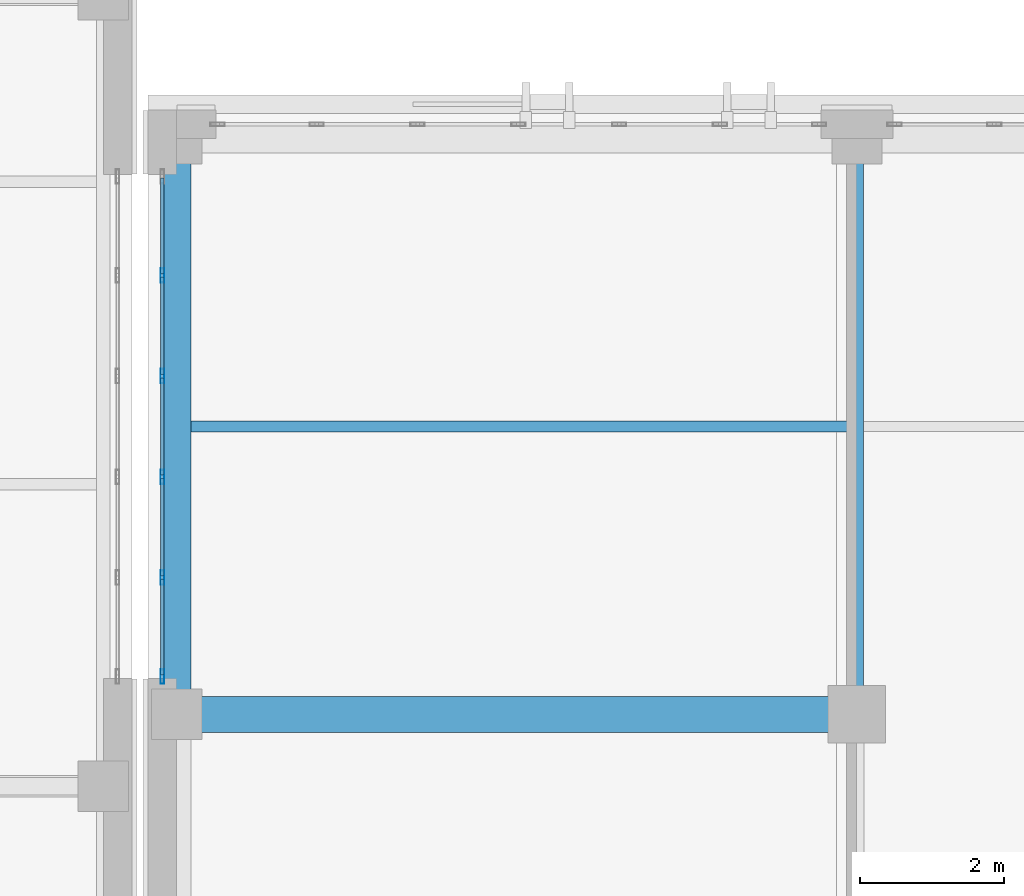
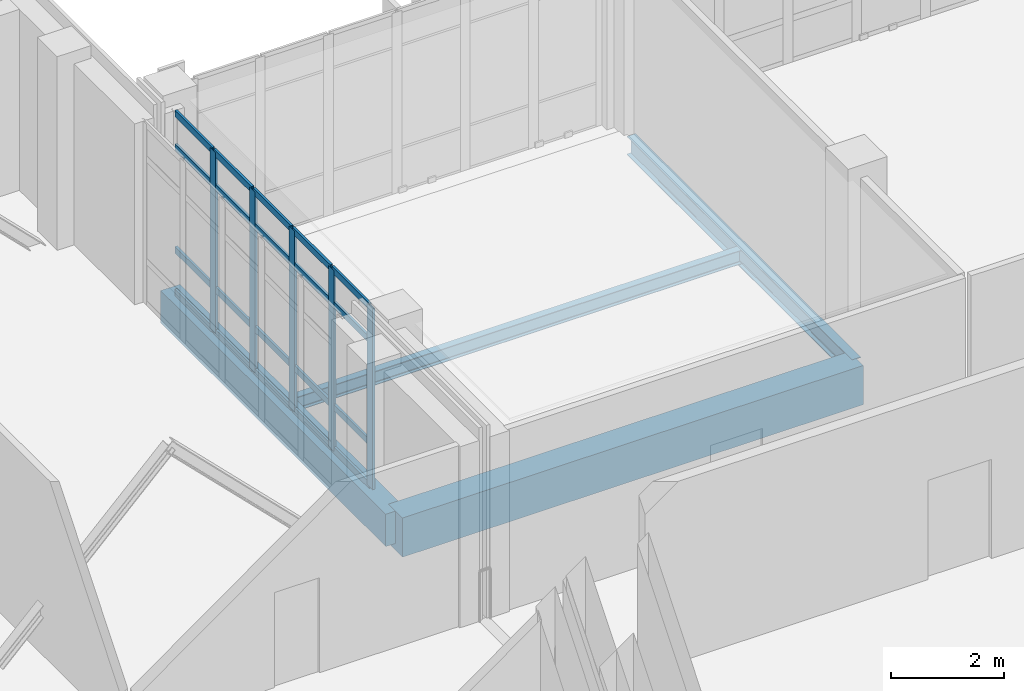
# One storey, part 22 of 158: 25 members, 4 beams, 1 element without a shape of its own.
"""IFC4 building model written with IfcOpenShell, lengths in metres."""

from ifc_helpers import new_model, si_unit, direction, frame, origin, origin_2d, place, context, subcontext, project, spatial, rectangle, hollow_rectangle, i_section, extrude, material, layer, layer_set, material_profile, profile_set, type_object, element, aggregate, save


model = new_model("IFC4")

# Units and contexts
model_context = context("Model", 3, precision=1e-05, world=origin(), true_north=direction((0.0, 1.0)))
body_context = subcontext(model_context, "Body", "Model", "MODEL_VIEW")
ifc_project = project(units=[si_unit("LENGTHUNIT", "METRE"), si_unit("AREAUNIT", "SQUARE_METRE"), si_unit("VOLUMEUNIT", "CUBIC_METRE"), si_unit("PLANEANGLEUNIT", "RADIAN"), si_unit("MASSUNIT", "GRAM", prefix="KILO")], contexts=[model_context])

# Site, building, storey
site_placement = place(None, origin())
site = spatial("IfcSite", under=ifc_project, at=site_placement, CompositionType="ELEMENT")
building_placement = place(site_placement, origin())
building = spatial("IfcBuilding", under=site, at=building_placement, Name="Qalavern Law Courts", CompositionType="ELEMENT")
storey_placement = place(building_placement, frame((0.0, 0.0, 18.60009765625)))
storey = spatial("IfcBuildingStorey", under=building, at=storey_placement, Name="L04", CompositionType="ELEMENT", Elevation=18.60009765625)

# Curtain wall, members
ifc_material_1 = material(Name="Anodised aluminium and insulated glazing", Category="aluminium")
ifc_layer = layer(ifc_material_1, 0.18505859375)
ifc_layer_set = layer_set([ifc_layer], Name="Anodised aluminium and insulated glazing")
curtain_wall_type = type_object("IfcCurtainWallType", Name="ENV-CW-HALL", PredefinedType="USERDEFINED", material=ifc_layer_set)
curtain_wall_placement = place(storey_placement, origin())
curtain_wall = element("IfcCurtainWall", 1, at=curtain_wall_placement, inside=storey, type_object=curtain_wall_type, Name="V2 unitised curtain wall L04 west 1", ObjectType="UNITISED CURTAIN WALL", PredefinedType="USERDEFINED")
ifc_material_2 = material(Name="Anodised aluminium", Category="aluminium")
ifc_material_profile_1 = material_profile(ifc_material_2, hollow_rectangle(XDim=0.048095703125, YDim=0.199951171875, WallThickness=0.00439453125, at=origin_2d()), Name="ALU MULLION 48x200")
ifc_profile_set_1 = profile_set([ifc_material_profile_1], Name="Anodised aluminium")
member_type_1 = type_object("IfcMemberType", Name="ENV-CWM-48x200", PredefinedType="MULLION", material=ifc_profile_set_1)
member_1_placement = place(storey_placement, frame((34.419921875, 28.10009765625, 0.0), z_axis=(0.0, 0.0, 1.0), x_axis=(1.0, 0.0, 0.0)))
member_1 = element("IfcMember", 2, at=member_1_placement, type_object=member_type_1, Name="CW-02 mullion 2", PredefinedType="MULLION", context=body_context, shape_type="SweptSolid", body=[
    extrude(hollow_rectangle(XDim=0.048095703125, YDim=0.199951171875, WallThickness=0.00439453125, at=origin_2d()), origin(), (0.0, 0.0, 1.0), 3.9248046875),
])
member_2_placement = place(storey_placement, frame((34.419921875, 26.699951171875, 0.0), z_axis=(0.0, 0.0, 1.0), x_axis=(1.0, 0.0, 0.0)))
member_2 = element("IfcMember", 3, at=member_2_placement, type_object=member_type_1, Name="CW-02 mullion 3", PredefinedType="MULLION", context=body_context, shape_type="SweptSolid", body=[
    extrude(hollow_rectangle(XDim=0.048095703125, YDim=0.199951171875, WallThickness=0.00439453125, at=origin_2d()), origin(), (0.0, 0.0, 1.0), 3.9248046875),
])
member_3_placement = place(storey_placement, frame((34.419921875, 25.300048828125, 0.0), z_axis=(0.0, 0.0, 1.0), x_axis=(1.0, 0.0, 0.0)))
member_3 = element("IfcMember", 4, at=member_3_placement, type_object=member_type_1, Name="CW-02 mullion 4", PredefinedType="MULLION", context=body_context, shape_type="SweptSolid", body=[
    extrude(hollow_rectangle(XDim=0.048095703125, YDim=0.199951171875, WallThickness=0.00439453125, at=origin_2d()), origin(), (0.0, 0.0, 1.0), 3.9248046875),
])
member_4_placement = place(storey_placement, frame((34.419921875, 23.89990234375, 0.0), z_axis=(0.0, 0.0, 1.0), x_axis=(1.0, 0.0, 0.0)))
member_4 = element("IfcMember", 5, at=member_4_placement, type_object=member_type_1, Name="CW-02 mullion 5", PredefinedType="MULLION", context=body_context, shape_type="SweptSolid", body=[
    extrude(hollow_rectangle(XDim=0.048095703125, YDim=0.199951171875, WallThickness=0.00439453125, at=origin_2d()), origin(), (0.0, 0.0, 1.0), 3.9248046875),
])
member_5_placement = place(storey_placement, frame((34.419921875, 22.52392578125, 0.0), z_axis=(0.0, 0.0, 1.0), x_axis=(1.0, 0.0, 0.0)))
member_5 = element("IfcMember", 6, at=member_5_placement, type_object=member_type_1, Name="CW-02 mullion 6", PredefinedType="MULLION", context=body_context, shape_type="SweptSolid", body=[
    extrude(hollow_rectangle(XDim=0.048095703125, YDim=0.199951171875, WallThickness=0.00439453125, at=origin_2d()), origin(), (0.0, 0.0, 1.0), 3.9248046875),
])
ifc_material_profile_2 = material_profile(ifc_material_2, hollow_rectangle(XDim=0.048095703125, YDim=0.139892578125, WallThickness=0.00390625, at=origin_2d()), Name="ALU TRANSOM 48x140")
ifc_profile_set_2 = profile_set([ifc_material_profile_2], Name="Anodised aluminium")
member_type_2 = type_object("IfcMemberType", Name="ENV-CWT-48x140", PredefinedType="USERDEFINED", material=ifc_profile_set_2)
member_6_placement = place(storey_placement, frame((34.419921875, 29.451904296875, 0.02392578125), z_axis=(0.0, -1.0, 0.0), x_axis=(1.0, 0.0, 0.0)))
member_6 = element("IfcMember", 7, at=member_6_placement, type_object=member_type_2, Name="CW-02 transom 1.1", ObjectType="TRANSOM", PredefinedType="USERDEFINED", context=body_context, shape_type="SweptSolid", body=[
    extrude(hollow_rectangle(XDim=0.048095703125, YDim=0.139892578125, WallThickness=0.00390625, at=origin_2d()), origin(), (0.0, 0.0, 1.0), 1.327880859375),
])
member_7_placement = place(storey_placement, frame((34.419921875, 29.451904296875, 0.949951171875), z_axis=(0.0, -1.0, 0.0), x_axis=(1.0, 0.0, 0.0)))
member_7 = element("IfcMember", 8, at=member_7_placement, type_object=member_type_2, Name="CW-02 transom 1.2", ObjectType="TRANSOM", PredefinedType="USERDEFINED", context=body_context, shape_type="SweptSolid", body=[
    extrude(hollow_rectangle(XDim=0.048095703125, YDim=0.139892578125, WallThickness=0.00390625, at=origin_2d()), origin(), (0.0, 0.0, 1.0), 1.327880859375),
])
member_8_placement = place(storey_placement, frame((34.419921875, 29.451904296875, 3.1748046875), z_axis=(0.0, -1.0, 0.0), x_axis=(1.0, 0.0, 0.0)))
member_8 = element("IfcMember", 9, at=member_8_placement, type_object=member_type_2, Name="CW-02 transom 1.3", ObjectType="TRANSOM", PredefinedType="USERDEFINED", context=body_context, shape_type="SweptSolid", body=[
    extrude(hollow_rectangle(XDim=0.048095703125, YDim=0.139892578125, WallThickness=0.00390625, at=origin_2d()), origin(), (0.0, 0.0, 1.0), 1.327880859375),
])
member_9_placement = place(storey_placement, frame((34.419921875, 29.451904296875, 3.90087890625), z_axis=(0.0, -1.0, 0.0), x_axis=(1.0, 0.0, 0.0)))
member_9 = element("IfcMember", 10, at=member_9_placement, type_object=member_type_2, Name="CW-02 transom 1.4", ObjectType="TRANSOM", PredefinedType="USERDEFINED", context=body_context, shape_type="SweptSolid", body=[
    extrude(hollow_rectangle(XDim=0.048095703125, YDim=0.139892578125, WallThickness=0.00390625, at=origin_2d()), origin(), (0.0, 0.0, 1.0), 1.327880859375),
])
member_10_placement = place(storey_placement, frame((34.419921875, 28.075927734375, 0.02392578125), z_axis=(0.0, -1.0, 0.0), x_axis=(1.0, 0.0, 0.0)))
member_10 = element("IfcMember", 11, at=member_10_placement, type_object=member_type_2, Name="CW-02 transom 2.1", ObjectType="TRANSOM", PredefinedType="USERDEFINED", context=body_context, shape_type="SweptSolid", body=[
    extrude(hollow_rectangle(XDim=0.048095703125, YDim=0.139892578125, WallThickness=0.00390625, at=origin_2d()), origin(), (0.0, 0.0, 1.0), 1.351806640625),
])
member_11_placement = place(storey_placement, frame((34.419921875, 28.075927734375, 0.949951171875), z_axis=(0.0, -1.0, 0.0), x_axis=(1.0, 0.0, 0.0)))
member_11 = element("IfcMember", 12, at=member_11_placement, type_object=member_type_2, Name="CW-02 transom 2.2", ObjectType="TRANSOM", PredefinedType="USERDEFINED", context=body_context, shape_type="SweptSolid", body=[
    extrude(hollow_rectangle(XDim=0.048095703125, YDim=0.139892578125, WallThickness=0.00390625, at=origin_2d()), origin(), (0.0, 0.0, 1.0), 1.351806640625),
])
member_12_placement = place(storey_placement, frame((34.419921875, 28.075927734375, 3.1748046875), z_axis=(0.0, -1.0, 0.0), x_axis=(1.0, 0.0, 0.0)))
member_12 = element("IfcMember", 13, at=member_12_placement, type_object=member_type_2, Name="CW-02 transom 2.3", ObjectType="TRANSOM", PredefinedType="USERDEFINED", context=body_context, shape_type="SweptSolid", body=[
    extrude(hollow_rectangle(XDim=0.048095703125, YDim=0.139892578125, WallThickness=0.00390625, at=origin_2d()), origin(), (0.0, 0.0, 1.0), 1.351806640625),
])
member_13_placement = place(storey_placement, frame((34.419921875, 28.075927734375, 3.90087890625), z_axis=(0.0, -1.0, 0.0), x_axis=(1.0, 0.0, 0.0)))
member_13 = element("IfcMember", 14, at=member_13_placement, type_object=member_type_2, Name="CW-02 transom 2.4", ObjectType="TRANSOM", PredefinedType="USERDEFINED", context=body_context, shape_type="SweptSolid", body=[
    extrude(hollow_rectangle(XDim=0.048095703125, YDim=0.139892578125, WallThickness=0.00390625, at=origin_2d()), origin(), (0.0, 0.0, 1.0), 1.351806640625),
])
member_14_placement = place(storey_placement, frame((34.419921875, 26.676025390625, 0.02392578125), z_axis=(0.0, -1.0, 0.0), x_axis=(1.0, 0.0, 0.0)))
member_14 = element("IfcMember", 15, at=member_14_placement, type_object=member_type_2, Name="CW-02 transom 3.1", ObjectType="TRANSOM", PredefinedType="USERDEFINED", context=body_context, shape_type="SweptSolid", body=[
    extrude(hollow_rectangle(XDim=0.048095703125, YDim=0.139892578125, WallThickness=0.00390625, at=origin_2d()), origin(), (0.0, 0.0, 1.0), 1.35205078125),
])
member_15_placement = place(storey_placement, frame((34.419921875, 26.676025390625, 0.949951171875), z_axis=(0.0, -1.0, 0.0), x_axis=(1.0, 0.0, 0.0)))
member_15 = element("IfcMember", 16, at=member_15_placement, type_object=member_type_2, Name="CW-02 transom 3.2", ObjectType="TRANSOM", PredefinedType="USERDEFINED", context=body_context, shape_type="SweptSolid", body=[
    extrude(hollow_rectangle(XDim=0.048095703125, YDim=0.139892578125, WallThickness=0.00390625, at=origin_2d()), origin(), (0.0, 0.0, 1.0), 1.35205078125),
])
member_16_placement = place(storey_placement, frame((34.419921875, 26.676025390625, 3.1748046875), z_axis=(0.0, -1.0, 0.0), x_axis=(1.0, 0.0, 0.0)))
member_16 = element("IfcMember", 17, at=member_16_placement, type_object=member_type_2, Name="CW-02 transom 3.3", ObjectType="TRANSOM", PredefinedType="USERDEFINED", context=body_context, shape_type="SweptSolid", body=[
    extrude(hollow_rectangle(XDim=0.048095703125, YDim=0.139892578125, WallThickness=0.00390625, at=origin_2d()), origin(), (0.0, 0.0, 1.0), 1.35205078125),
])
member_17_placement = place(storey_placement, frame((34.419921875, 26.676025390625, 3.90087890625), z_axis=(0.0, -1.0, 0.0), x_axis=(1.0, 0.0, 0.0)))
member_17 = element("IfcMember", 18, at=member_17_placement, type_object=member_type_2, Name="CW-02 transom 3.4", ObjectType="TRANSOM", PredefinedType="USERDEFINED", context=body_context, shape_type="SweptSolid", body=[
    extrude(hollow_rectangle(XDim=0.048095703125, YDim=0.139892578125, WallThickness=0.00390625, at=origin_2d()), origin(), (0.0, 0.0, 1.0), 1.35205078125),
])
member_18_placement = place(storey_placement, frame((34.419921875, 25.27587890625, 0.02392578125), z_axis=(0.0, -1.0, 0.0), x_axis=(1.0, 0.0, 0.0)))
member_18 = element("IfcMember", 19, at=member_18_placement, type_object=member_type_2, Name="CW-02 transom 4.1", ObjectType="TRANSOM", PredefinedType="USERDEFINED", context=body_context, shape_type="SweptSolid", body=[
    extrude(hollow_rectangle(XDim=0.048095703125, YDim=0.139892578125, WallThickness=0.00390625, at=origin_2d()), origin(), (0.0, 0.0, 1.0), 1.351806640625),
])
member_19_placement = place(storey_placement, frame((34.419921875, 25.27587890625, 0.949951171875), z_axis=(0.0, -1.0, 0.0), x_axis=(1.0, 0.0, 0.0)))
member_19 = element("IfcMember", 20, at=member_19_placement, type_object=member_type_2, Name="CW-02 transom 4.2", ObjectType="TRANSOM", PredefinedType="USERDEFINED", context=body_context, shape_type="SweptSolid", body=[
    extrude(hollow_rectangle(XDim=0.048095703125, YDim=0.139892578125, WallThickness=0.00390625, at=origin_2d()), origin(), (0.0, 0.0, 1.0), 1.351806640625),
])
member_20_placement = place(storey_placement, frame((34.419921875, 25.27587890625, 3.1748046875), z_axis=(0.0, -1.0, 0.0), x_axis=(1.0, 0.0, 0.0)))
member_20 = element("IfcMember", 21, at=member_20_placement, type_object=member_type_2, Name="CW-02 transom 4.3", ObjectType="TRANSOM", PredefinedType="USERDEFINED", context=body_context, shape_type="SweptSolid", body=[
    extrude(hollow_rectangle(XDim=0.048095703125, YDim=0.139892578125, WallThickness=0.00390625, at=origin_2d()), origin(), (0.0, 0.0, 1.0), 1.351806640625),
])
member_21_placement = place(storey_placement, frame((34.419921875, 25.27587890625, 3.90087890625), z_axis=(0.0, -1.0, 0.0), x_axis=(1.0, 0.0, 0.0)))
member_21 = element("IfcMember", 22, at=member_21_placement, type_object=member_type_2, Name="CW-02 transom 4.4", ObjectType="TRANSOM", PredefinedType="USERDEFINED", context=body_context, shape_type="SweptSolid", body=[
    extrude(hollow_rectangle(XDim=0.048095703125, YDim=0.139892578125, WallThickness=0.00390625, at=origin_2d()), origin(), (0.0, 0.0, 1.0), 1.351806640625),
])
member_22_placement = place(storey_placement, frame((34.419921875, 23.8759765625, 0.02392578125), z_axis=(0.0, -1.0, 0.0), x_axis=(1.0, 0.0, 0.0)))
member_22 = element("IfcMember", 23, at=member_22_placement, type_object=member_type_2, Name="CW-02 transom 5.1", ObjectType="TRANSOM", PredefinedType="USERDEFINED", context=body_context, shape_type="SweptSolid", body=[
    extrude(hollow_rectangle(XDim=0.048095703125, YDim=0.139892578125, WallThickness=0.00390625, at=origin_2d()), origin(), (0.0, 0.0, 1.0), 1.327880859375),
])
member_23_placement = place(storey_placement, frame((34.419921875, 23.8759765625, 0.949951171875), z_axis=(0.0, -1.0, 0.0), x_axis=(1.0, 0.0, 0.0)))
member_23 = element("IfcMember", 24, at=member_23_placement, type_object=member_type_2, Name="CW-02 transom 5.2", ObjectType="TRANSOM", PredefinedType="USERDEFINED", context=body_context, shape_type="SweptSolid", body=[
    extrude(hollow_rectangle(XDim=0.048095703125, YDim=0.139892578125, WallThickness=0.00390625, at=origin_2d()), origin(), (0.0, 0.0, 1.0), 1.327880859375),
])
member_24_placement = place(storey_placement, frame((34.419921875, 23.8759765625, 3.1748046875), z_axis=(0.0, -1.0, 0.0), x_axis=(1.0, 0.0, 0.0)))
member_24 = element("IfcMember", 25, at=member_24_placement, type_object=member_type_2, Name="CW-02 transom 5.3", ObjectType="TRANSOM", PredefinedType="USERDEFINED", context=body_context, shape_type="SweptSolid", body=[
    extrude(hollow_rectangle(XDim=0.048095703125, YDim=0.139892578125, WallThickness=0.00390625, at=origin_2d()), origin(), (0.0, 0.0, 1.0), 1.327880859375),
])
member_25_placement = place(storey_placement, frame((34.419921875, 23.8759765625, 3.90087890625), z_axis=(0.0, -1.0, 0.0), x_axis=(1.0, 0.0, 0.0)))
member_25 = element("IfcMember", 26, at=member_25_placement, type_object=member_type_2, Name="CW-02 transom 5.4", ObjectType="TRANSOM", PredefinedType="USERDEFINED", context=body_context, shape_type="SweptSolid", body=[
    extrude(hollow_rectangle(XDim=0.048095703125, YDim=0.139892578125, WallThickness=0.00390625, at=origin_2d()), origin(), (0.0, 0.0, 1.0), 1.327880859375),
])
aggregate(curtain_wall, [member_1, member_2, member_3, member_4, member_5, member_6, member_7, member_8, member_9, member_10, member_11, member_12, member_13, member_14, member_15, member_16, member_17, member_18, member_19, member_20, member_21, member_22, member_23, member_24, member_25])

# Beams
ifc_material_3 = material(Name="Steel S355", Category="steel")
ifc_material_profile_3 = material_profile(ifc_material_3, i_section(OverallWidth=0.179931640625, OverallDepth=0.39990234375, WebThickness=0.008544921875, FlangeThickness=0.013427734375, FilletRadius=0.02099609375, at=origin_2d()), Name="IPE 400")
ifc_profile_set_3 = profile_set([ifc_material_profile_3], Name="Steel S355")
beam_type_1 = type_object("IfcBeamType", Name="STR-BM-IPE400", PredefinedType="BEAM", material=ifc_profile_set_3)
beam_1_placement = place(storey_placement, frame((44.07421875, 22.0, -0.47998046875), z_axis=(0.0, 1.0, 0.0), x_axis=(-1.0, 0.0, 0.0)))
element("IfcBeam", 27, at=beam_1_placement, inside=storey, type_object=beam_type_1, Name="V2 Y-beam 2-3 L04", PredefinedType="BEAM", context=body_context, shape_type="SweptSolid", body=[
    extrude(i_section(OverallWidth=0.179931640625, OverallDepth=0.39990234375, WebThickness=0.008544921875, FlangeThickness=0.013427734375, FilletRadius=0.02099609375, at=origin_2d()), origin(), (0.0, 0.0, 1.0), 8.0),
])
ifc_material_4 = material(Name="Concrete C40/50", Category="concrete")
ifc_material_profile_4 = material_profile(ifc_material_4, rectangle(XDim=0.5, YDim=0.85009765625, at=origin_2d()), Name="RC 500x850")
ifc_profile_set_4 = profile_set([ifc_material_profile_4], Name="Concrete C40/50")
beam_type_2 = type_object("IfcBeamType", Name="STR-BM-RC500x850", PredefinedType="BEAM", material=ifc_profile_set_4)
beam_2_placement = place(storey_placement, frame((34.6201171875, 22.0, -0.705078125), z_axis=(1.0, 0.0, 0.0), x_axis=(0.0, 1.0, 0.0)))
element("IfcBeam", 28, at=beam_2_placement, inside=storey, type_object=beam_type_2, Name="V2 X-beam 3-1 L04", PredefinedType="BEAM", context=body_context, shape_type="SweptSolid", body=[
    extrude(rectangle(XDim=0.5, YDim=0.85009765625, at=origin_2d()), origin(), (0.0, 0.0, 1.0), 9.4541015625),
])
ifc_material_profile_5 = material_profile(ifc_material_3, i_section(OverallWidth=0.14990234375, OverallDepth=0.300048828125, WebThickness=0.007080078125, FlangeThickness=0.0107421875, FilletRadius=0.014892578125, at=origin_2d()), Name="IPE 300")
ifc_profile_set_5 = profile_set([ifc_material_profile_5], Name="Steel S355")
beam_type_3 = type_object("IfcBeamType", Name="STR-JST-IPE300", PredefinedType="JOIST", material=ifc_profile_set_5)
beam_3_placement = place(storey_placement, frame((34.818115234375, 26.0, -0.43017578125), z_axis=(1.0, 0.0, 0.0), x_axis=(0.0, 1.0, 0.0)))
element("IfcBeam", 29, at=beam_3_placement, inside=storey, type_object=beam_type_3, Name="V2 secondary joist 1.3.1 L04", PredefinedType="JOIST", context=body_context, shape_type="SweptSolid", body=[
    extrude(i_section(OverallWidth=0.14990234375, OverallDepth=0.300048828125, WebThickness=0.007080078125, FlangeThickness=0.0107421875, FilletRadius=0.014892578125, at=origin_2d()), origin(), (0.0, 0.0, 1.0), 9.168212890625),
])
ifc_material_profile_6 = material_profile(ifc_material_4, rectangle(XDim=0.39990234375, YDim=0.699951171875, at=origin_2d()), Name="RC 400x700")
ifc_profile_set_6 = profile_set([ifc_material_profile_6], Name="Concrete C40/50")
beam_type_4 = type_object("IfcBeamType", Name="STR-SP-RC400x700", PredefinedType="SPANDREL", material=ifc_profile_set_6)
beam_4_placement = place(storey_placement, frame((34.6201171875, 22.0, -0.630126953125), z_axis=(0.0, 1.0, 0.0), x_axis=(-1.0, 0.0, 0.0)))
element("IfcBeam", 30, at=beam_4_placement, inside=storey, type_object=beam_type_4, Name="V2 Y-beam 1-3 L04", PredefinedType="SPANDREL", context=body_context, shape_type="SweptSolid", body=[
    extrude(rectangle(XDim=0.39990234375, YDim=0.699951171875, at=origin_2d()), origin(), (0.0, 0.0, 1.0), 8.0),
])

save(model, "model.ifc")
